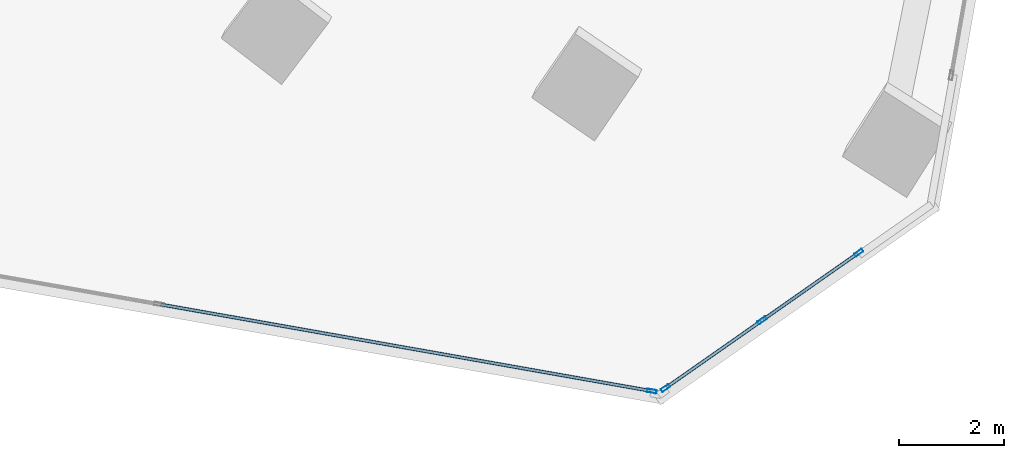
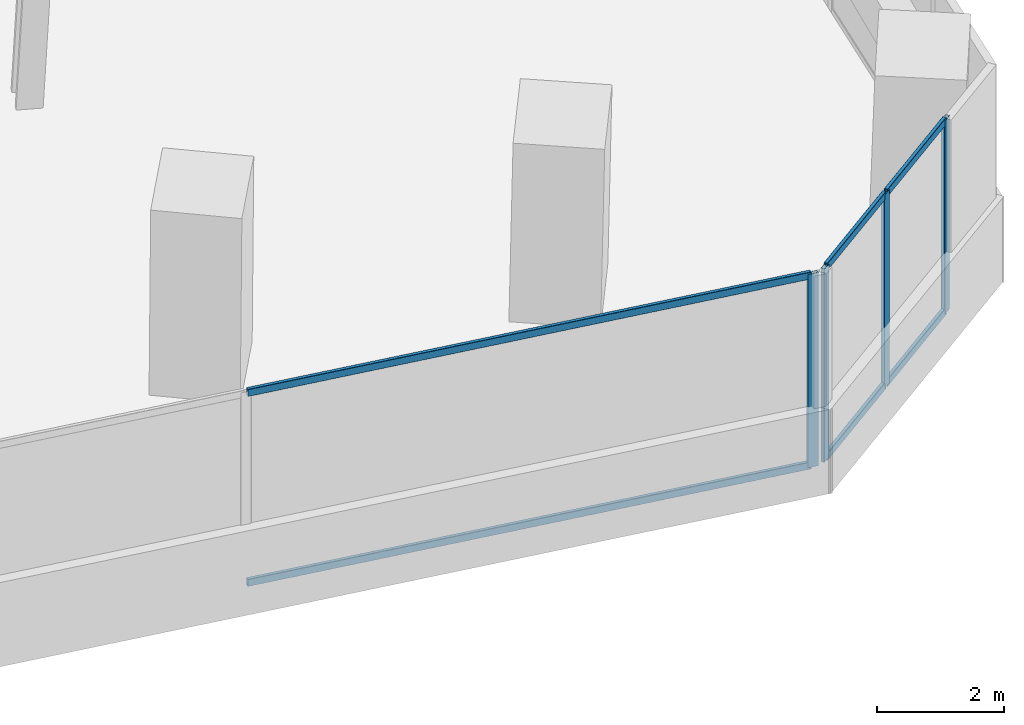
# One storey, part 8 of 24: 10 members, 2 elements without a shape of their own.
"""IFC4 building model written with IfcOpenShell, lengths in metres."""

from ifc_helpers import new_model, si_unit, direction, frame, origin, origin_2d, place, context, subcontext, project, spatial, hollow_rectangle, extrude, source, transform, mapped, material, material_profile, profile_set, type_object, element, aggregate, save


model = new_model("IFC4")

# Units and contexts
model_context = context("Model", 3, precision=1e-05, world=origin(), true_north=direction((0.0, 1.0)))
body_context = subcontext(model_context, "Body", "Model", "MODEL_VIEW")
ifc_project = project(units=[si_unit("LENGTHUNIT", "METRE"), si_unit("AREAUNIT", "SQUARE_METRE"), si_unit("VOLUMEUNIT", "CUBIC_METRE"), si_unit("PLANEANGLEUNIT", "RADIAN"), si_unit("MASSUNIT", "GRAM", prefix="KILO")], contexts=[model_context])

# Site, building, storey
site_placement = place(None, origin())
site = spatial("IfcSite", under=ifc_project, at=site_placement, CompositionType="ELEMENT")
building_placement = place(site_placement, origin())
building = spatial("IfcBuilding", under=site, at=building_placement, Name="Torre Montelarca", CompositionType="ELEMENT")
storey_placement = place(building_placement, frame((0.0, 0.0, 79.0)))
storey = spatial("IfcBuildingStorey", under=building, at=storey_placement, Name="L17", CompositionType="ELEMENT", Elevation=79.0)

# Curtain wall, members
ifc_material_1 = material(Name="Insulated low-E laminated glass", Category="glass")
curtain_wall_type = type_object("IfcCurtainWallType", Name="CW-SYS-Z1", PredefinedType="USERDEFINED", material=ifc_material_1)
curtain_wall_1_placement = place(storey_placement, origin())
curtain_wall_1 = element("IfcCurtainWall", 1, at=curtain_wall_1_placement, inside=storey, type_object=curtain_wall_type, Name="L17 Curtain Wall Run CW-T3-L17-E04-B1", ObjectType="UNITISED GLAZING", PredefinedType="USERDEFINED")
ifc_material_2 = material(Name="Anodised aluminium AA 6063-T6", Category="aluminium")
ifc_material_profile_1 = material_profile(ifc_material_2, hollow_rectangle(XDim=0.06494140625, YDim=0.139892578125, WallThickness=0.00390625, InnerFilletRadius=0.00390625, OuterFilletRadius=0.008056640625, at=origin_2d()), Name="ALU65X140X4", Category="aluminium")
ifc_profile_set_1 = profile_set([ifc_material_profile_1], Name="Anodised aluminium AA 6063-T6")
member_type_1 = type_object("IfcMemberType", Name="CWT-ALU140", PredefinedType="USERDEFINED", material=ifc_profile_set_1)
shared_shape_1 = source(origin(), body_context, "Body", "SweptSolid", [
    extrude(hollow_rectangle(XDim=0.06494140625, YDim=0.139892578125, WallThickness=0.00390625, InnerFilletRadius=0.00390625, OuterFilletRadius=0.008056640625, at=origin_2d()), origin(), (0.0, 0.0, 1.0), 9.448486328125),
])
member_1_placement = place(storey_placement, frame((43.963623046875, 14.158203125, 0.032470703125), z_axis=(0.984809300493, -0.173639401236, 0.0), x_axis=(0.173639401236, 0.984809300493, 0.0)))
member_1 = element("IfcMember", 2, at=member_1_placement, type_object=member_type_1, Name="CW transom 2.1", ObjectType="TRANSOM", PredefinedType="USERDEFINED", context=body_context, shape_type="MappedRepresentation", body=[
    mapped(shared_shape_1, transform((0.0, 0.0, 0.0), scale=1.0)),
])
member_2_placement = place(storey_placement, frame((43.963623046875, 14.158203125, 3.6875), z_axis=(0.984809300493, -0.173639401236, 0.0), x_axis=(0.173639401236, 0.984809300493, 0.0)))
member_2 = element("IfcMember", 3, at=member_2_placement, type_object=member_type_1, Name="CW transom 2.2", ObjectType="TRANSOM", PredefinedType="USERDEFINED", context=body_context, shape_type="MappedRepresentation", body=[
    mapped(shared_shape_1, transform((0.0, 0.0, 0.0), scale=1.0)),
])
ifc_material_profile_2 = material_profile(ifc_material_2, hollow_rectangle(XDim=0.06494140625, YDim=0.179931640625, WallThickness=0.00390625, InnerFilletRadius=0.00390625, OuterFilletRadius=0.008056640625, at=origin_2d()), Name="ALU65X180X4", Category="aluminium")
ifc_profile_set_2 = profile_set([ifc_material_profile_2], Name="Anodised aluminium AA 6063-T6")
member_type_2 = type_object("IfcMemberType", Name="CWM-ALU180", PredefinedType="MULLION", material=ifc_profile_set_2)
shared_shape_2 = source(origin(), body_context, "Body", "SweptSolid", [
    extrude(hollow_rectangle(XDim=0.06494140625, YDim=0.179931640625, WallThickness=0.00390625, InnerFilletRadius=0.00390625, OuterFilletRadius=0.008056640625, at=origin_2d()), origin(), (0.0, 0.0, 1.0), 3.719970703125),
])
member_3_placement = place(storey_placement, frame((53.300537109375, 12.511962890625, 0.0), z_axis=(0.0, 0.0, 1.0), x_axis=(0.173643103331, 0.984808647741, 0.0)))
member_3 = element("IfcMember", 4, at=member_3_placement, type_object=member_type_2, Name="CW mullion 3", PredefinedType="MULLION", context=body_context, shape_type="MappedRepresentation", body=[
    mapped(shared_shape_2, transform((0.0, 0.0, 0.0), scale=1.0)),
])
aggregate(curtain_wall_1, [member_3, member_1, member_2])

curtain_wall_2_placement = place(storey_placement, origin())
curtain_wall_2 = element("IfcCurtainWall", 5, at=curtain_wall_2_placement, inside=storey, type_object=curtain_wall_type, Name="L17 Curtain Wall Run CW-T3-L17-E05-B1", ObjectType="UNITISED GLAZING", PredefinedType="USERDEFINED")
member_4_placement = place(storey_placement, frame((53.561279296875, 12.569580078125, 0.0), z_axis=(0.0, 0.0, 1.0), x_axis=(-0.573555195883, 0.819166916615, 0.0)))
member_4 = element("IfcMember", 6, at=member_4_placement, type_object=member_type_2, Name="CW mullion 1", PredefinedType="MULLION", context=body_context, shape_type="MappedRepresentation", body=[
    mapped(shared_shape_2, transform((0.0, 0.0, 0.0), scale=1.0)),
])
member_5_placement = place(storey_placement, frame((55.399658203125, 13.85693359375, 0.0), z_axis=(0.0, 0.0, 1.0), x_axis=(-0.573555195883, 0.819166916615, 0.0)))
member_5 = element("IfcMember", 7, at=member_5_placement, type_object=member_type_2, Name="CW mullion 2", PredefinedType="MULLION", context=body_context, shape_type="MappedRepresentation", body=[
    mapped(shared_shape_2, transform((0.0, 0.0, 0.0), scale=1.0)),
])
member_6_placement = place(storey_placement, frame((57.238037109375, 15.14404296875, 0.0), z_axis=(0.0, 0.0, 1.0), x_axis=(-0.573555195883, 0.819166916615, 0.0)))
member_6 = element("IfcMember", 8, at=member_6_placement, type_object=member_type_2, Name="CW mullion 3", PredefinedType="MULLION", context=body_context, shape_type="MappedRepresentation", body=[
    mapped(shared_shape_2, transform((0.0, 0.0, 0.0), scale=1.0)),
])
shared_shape_3 = source(origin(), body_context, "Body", "SweptSolid", [
    extrude(hollow_rectangle(XDim=0.06494140625, YDim=0.139892578125, WallThickness=0.00390625, InnerFilletRadius=0.00390625, OuterFilletRadius=0.008056640625, at=origin_2d()), origin(), (0.0, 0.0, 1.0), 2.17919921875),
])
member_7_placement = place(storey_placement, frame((53.587890625, 12.58837890625, 0.032470703125), z_axis=(0.819200338925, 0.573507458282, 0.0), x_axis=(-0.573507458282, 0.819200338925, 0.0)))
member_7 = element("IfcMember", 9, at=member_7_placement, type_object=member_type_1, Name="CW transom 1.1", ObjectType="TRANSOM", PredefinedType="USERDEFINED", context=body_context, shape_type="MappedRepresentation", body=[
    mapped(shared_shape_3, transform((0.0, 0.0, 0.0), scale=1.0)),
])
member_8_placement = place(storey_placement, frame((53.587890625, 12.58837890625, 3.6875), z_axis=(0.819200338925, 0.573507458282, 0.0), x_axis=(-0.573507458282, 0.819200338925, 0.0)))
member_8 = element("IfcMember", 10, at=member_8_placement, type_object=member_type_1, Name="CW transom 1.2", ObjectType="TRANSOM", PredefinedType="USERDEFINED", context=body_context, shape_type="MappedRepresentation", body=[
    mapped(shared_shape_3, transform((0.0, 0.0, 0.0), scale=1.0)),
])
member_9_placement = place(storey_placement, frame((55.42626953125, 13.87548828125, 0.032470703125), z_axis=(0.819147702826, 0.573582636552, 0.0), x_axis=(-0.573582636552, 0.819147702826, 0.0)))
member_9 = element("IfcMember", 11, at=member_9_placement, type_object=member_type_1, Name="CW transom 2.1", ObjectType="TRANSOM", PredefinedType="USERDEFINED", context=body_context, shape_type="MappedRepresentation", body=[
    mapped(shared_shape_3, transform((0.0, 0.0, 0.0), scale=1.0)),
])
member_10_placement = place(storey_placement, frame((55.42626953125, 13.87548828125, 3.6875), z_axis=(0.819147702826, 0.573582636552, 0.0), x_axis=(-0.573582636552, 0.819147702826, 0.0)))
member_10 = element("IfcMember", 12, at=member_10_placement, type_object=member_type_1, Name="CW transom 2.2", ObjectType="TRANSOM", PredefinedType="USERDEFINED", context=body_context, shape_type="MappedRepresentation", body=[
    mapped(shared_shape_3, transform((0.0, 0.0, 0.0), scale=1.0)),
])
aggregate(curtain_wall_2, [member_4, member_5, member_6, member_7, member_8, member_9, member_10])

save(model, "model.ifc")
